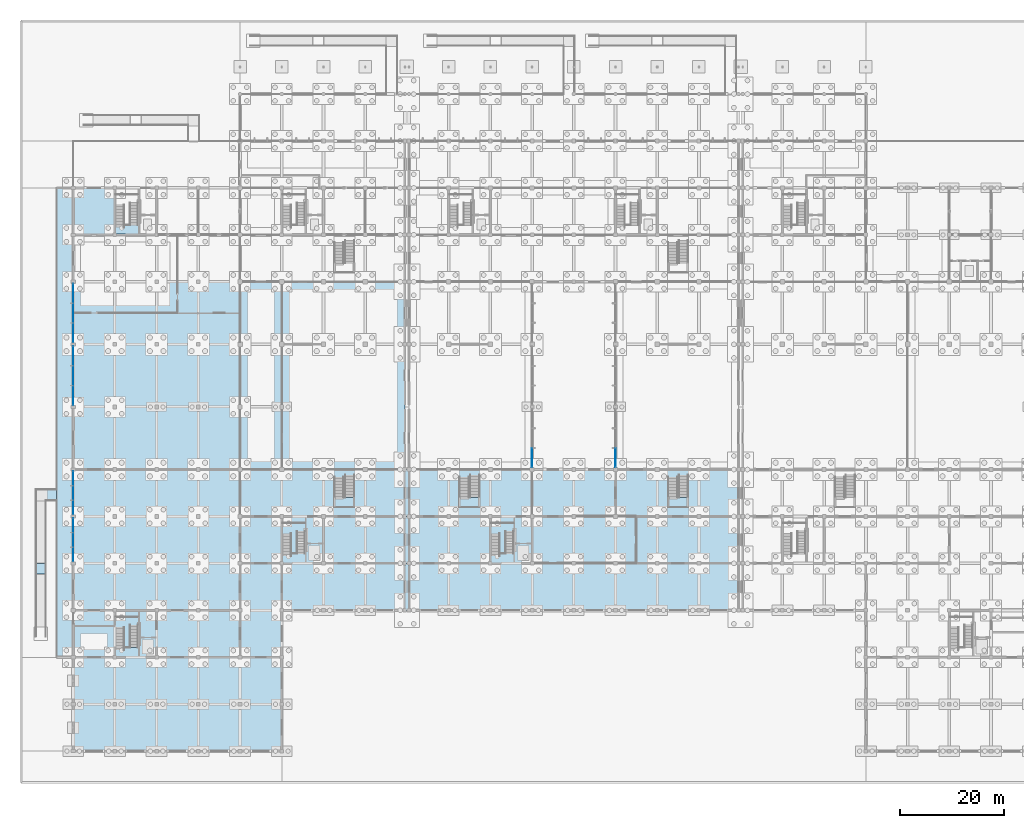
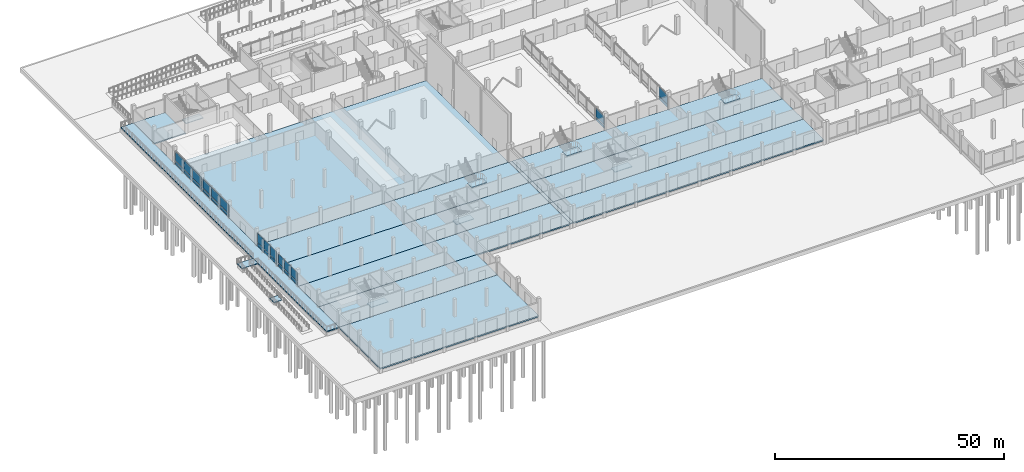
# One storey, part 35 of 72: 28 plates, 23 slabs, 14 elements without a shape of their own.
"""IFC4 building model written with IfcOpenShell, lengths in metres."""

from ifc_helpers import new_model, si_unit, direction, frame, origin, origin_2d, place, context, subcontext, project, spatial, polyline, rectangle, outline, extrude, material, layer, layer_set, type_object, element, aggregate, save


model = new_model("IFC4")

# Units and contexts
model_context = context("Model", 3, precision=1e-05, world=origin(), true_north=direction((0.0, 1.0)))
body_context = subcontext(model_context, "Body", "Model", "MODEL_VIEW")
ifc_project = project(units=[si_unit("LENGTHUNIT", "METRE"), si_unit("AREAUNIT", "SQUARE_METRE"), si_unit("VOLUMEUNIT", "CUBIC_METRE"), si_unit("PLANEANGLEUNIT", "RADIAN"), si_unit("MASSUNIT", "GRAM", prefix="KILO"), si_unit("THERMODYNAMICTEMPERATUREUNIT", "KELVIN"), si_unit("POWERUNIT", "WATT")], contexts=[model_context])

# Site, building, storey
site_placement = place(None, origin())
site = spatial("IfcSite", under=ifc_project, at=site_placement, CompositionType="ELEMENT")
building_placement = place(site_placement, origin())
building = spatial("IfcBuilding", under=site, at=building_placement, Name="Kronsvod Quay Wholesale Market", CompositionType="ELEMENT")
storey_placement = place(building_placement, origin())
storey = spatial("IfcBuildingStorey", under=building, at=storey_placement, Name="L00", CompositionType="ELEMENT", Elevation=0.0)

# Curtain wall, plates
ifc_material_1 = material(Name="Thermally broken aluminium and triple low-E glazing", Category="aluminium")
curtain_wall_type_1 = type_object("IfcCurtainWallType", Name="CW_Wing90x33", PredefinedType="NOTDEFINED", material=ifc_material_1)
curtain_wall_1_placement = place(storey_placement, origin())
curtain_wall_1 = element("IfcCurtainWall", 1, at=curtain_wall_1_placement, inside=storey, type_object=curtain_wall_type_1, Name="CWGY-L00-0-360", PredefinedType="NOTDEFINED")
ifc_material_2 = material(Name="Insulated aluminium spandrel panel", Category="aluminium")
ifc_layer_1 = layer(ifc_material_2, 0.048095703125)
ifc_layer_set_1 = layer_set([ifc_layer_1], Name="Insulated aluminium spandrel panel")
plate_type_1 = type_object("IfcPlateType", Name="CWPanel_SP2684x775", PredefinedType="CURTAIN_PANEL", material=ifc_layer_set_1)
plate_1_placement = place(storey_placement, frame((0.0, 43.27783203125, 0.150146484375), z_axis=(0.0, 0.0, 1.0), x_axis=(0.0, -1.0, 0.0)))
plate_1 = element("IfcPlate", 2, at=plate_1_placement, type_object=plate_type_1, Name="CWGY-L00-0-360-PS1", PredefinedType="CURTAIN_PANEL", context=body_context, shape_type="SweptSolid", body=[
    extrude(rectangle(XDim=2.68408203125, YDim=0.048095703125, at=origin_2d()), origin(), (0.0, 0.0, 1.0), 0.77490234375),
])
plate_2_placement = place(storey_placement, frame((0.0, 37.72216796875, 0.150146484375), z_axis=(0.0, 0.0, 1.0), x_axis=(0.0, -1.0, 0.0)))
plate_2 = element("IfcPlate", 3, at=plate_2_placement, type_object=plate_type_1, Name="CWGY-L00-0-360-PS3", PredefinedType="CURTAIN_PANEL", context=body_context, shape_type="SweptSolid", body=[
    extrude(rectangle(XDim=2.68408203125, YDim=0.048095703125, at=origin_2d()), origin(), (0.0, 0.0, 1.0), 0.77490234375),
])

curtain_wall_2_placement = place(storey_placement, origin())
curtain_wall_2 = element("IfcCurtainWall", 4, at=curtain_wall_2_placement, inside=storey, type_object=curtain_wall_type_1, Name="CWGY-L00-0-450", PredefinedType="NOTDEFINED")
ifc_material_3 = material(Name="Insulated aluminium spandrel panel", Category="aluminium")
ifc_layer_2 = layer(ifc_material_3, 0.048095703125)
ifc_layer_set_2 = layer_set([ifc_layer_2], Name="Insulated aluminium spandrel panel")
plate_type_2 = type_object("IfcPlateType", Name="CWPanel_SP2687x775", PredefinedType="CURTAIN_PANEL", material=ifc_layer_set_2)
plate_3_placement = place(storey_placement, frame((0.0, 52.2861328125, 0.150146484375), z_axis=(0.0, 0.0, 1.0), x_axis=(0.0, -1.0, 0.0)))
plate_3 = element("IfcPlate", 5, at=plate_3_placement, type_object=plate_type_2, Name="CWGY-L00-0-450-PS1", PredefinedType="CURTAIN_PANEL", context=body_context, shape_type="SweptSolid", body=[
    extrude(rectangle(XDim=2.68701171875, YDim=0.048095703125, at=origin_2d()), origin(), (0.0, 0.0, 1.0), 0.77490234375),
])
ifc_material_4 = material(Name="Insulated aluminium spandrel panel", Category="aluminium")
ifc_layer_3 = layer(ifc_material_4, 0.048095703125)
ifc_layer_set_3 = layer_set([ifc_layer_3], Name="Insulated aluminium spandrel panel")
plate_type_3 = type_object("IfcPlateType", Name="CWPanel_SP2688x775", PredefinedType="CURTAIN_PANEL", material=ifc_layer_set_3)
plate_4_placement = place(storey_placement, frame((0.0, 46.7236328125, 0.150146484375), z_axis=(0.0, 0.0, 1.0), x_axis=(0.0, -1.0, 0.0)))
plate_4 = element("IfcPlate", 6, at=plate_4_placement, type_object=plate_type_3, Name="CWGY-L00-0-450-PS3", PredefinedType="CURTAIN_PANEL", context=body_context, shape_type="SweptSolid", body=[
    extrude(rectangle(XDim=2.68798828125, YDim=0.048095703125, at=origin_2d()), origin(), (0.0, 0.0, 1.0), 0.77490234375),
])

# Plate
ifc_material_5 = material(Name="Insulated aluminium spandrel panel", Category="aluminium")
ifc_layer_4 = layer(ifc_material_5, 0.048095703125)
ifc_layer_set_4 = layer_set([ifc_layer_4], Name="Insulated aluminium spandrel panel")
plate_type_4 = type_object("IfcPlateType", Name="CWPanel_SP2722x775", PredefinedType="CURTAIN_PANEL", material=ifc_layer_set_4)
plate_5_placement = place(storey_placement, frame((0.0, 40.5, 0.150146484375), z_axis=(0.0, 0.0, 1.0), x_axis=(0.0, -1.0, 0.0)))
plate_5 = element("IfcPlate", 7, at=plate_5_placement, type_object=plate_type_4, Name="CWGY-L00-0-360-PS2", PredefinedType="CURTAIN_PANEL", context=body_context, shape_type="SweptSolid", body=[
    extrude(rectangle(XDim=2.721923828125, YDim=0.048095703125, at=origin_2d()), origin(), (0.0, 0.0, 1.0), 0.77490234375),
])

ifc_material_6 = material(Name="Insulated aluminium spandrel panel", Category="aluminium")
ifc_layer_5 = layer(ifc_material_6, 0.048095703125)
ifc_layer_set_5 = layer_set([ifc_layer_5], Name="Insulated aluminium spandrel panel")
plate_type_5 = type_object("IfcPlateType", Name="CWPanel_SP2725x775", PredefinedType="CURTAIN_PANEL", material=ifc_layer_set_5)
plate_6_placement = place(storey_placement, frame((0.0, 49.5048828125, 0.150146484375), z_axis=(0.0, 0.0, 1.0), x_axis=(0.0, -1.0, 0.0)))
plate_6 = element("IfcPlate", 8, at=plate_6_placement, type_object=plate_type_5, Name="CWGY-L00-0-450-PS2", PredefinedType="CURTAIN_PANEL", context=body_context, shape_type="SweptSolid", body=[
    extrude(rectangle(XDim=2.72509765625, YDim=0.048095703125, at=origin_2d()), origin(), (0.0, 0.0, 1.0), 0.77490234375),
])

# Curtain wall, plate
ifc_material_7 = material(Name="Thermally broken aluminium and triple low-E glazing", Category="aluminium")
curtain_wall_type_2 = type_object("IfcCurtainWallType", Name="CW_Court120x35", PredefinedType="NOTDEFINED", material=ifc_material_7)
curtain_wall_3_placement = place(storey_placement, origin())
curtain_wall_3 = element("IfcCurtainWall", 9, at=curtain_wall_3_placement, inside=storey, type_object=curtain_wall_type_2, Name="CWGY-L00-880-540", PredefinedType="NOTDEFINED")
ifc_material_8 = material(Name="Insulated aluminium spandrel panel", Category="aluminium")
ifc_layer_6 = layer(ifc_material_8, 0.048095703125)
ifc_layer_set_6 = layer_set([ifc_layer_6], Name="Insulated aluminium spandrel panel")
plate_type_6 = type_object("IfcPlateType", Name="CWPanel_SP3641x775", PredefinedType="CURTAIN_PANEL", material=ifc_layer_set_6)
plate_7_placement = place(storey_placement, frame((88.0, 56.29052734375, 0.150146484375), z_axis=(0.0, 0.0, 1.0), x_axis=(0.0, 1.0, 0.0)))
plate_7 = element("IfcPlate", 10, at=plate_7_placement, type_object=plate_type_6, Name="CWGY-L00-880-540-PS1", PredefinedType="CURTAIN_PANEL", context=body_context, shape_type="SweptSolid", body=[
    extrude(rectangle(XDim=3.64111328125, YDim=0.048095703125, at=origin_2d()), origin(), (0.0, 0.0, 1.0), 0.77490234375),
])

curtain_wall_4_placement = place(storey_placement, origin())
curtain_wall_4 = element("IfcCurtainWall", 11, at=curtain_wall_4_placement, inside=storey, type_object=curtain_wall_type_2, Name="CWGY-L00-1040-540", PredefinedType="NOTDEFINED")
plate_8_placement = place(storey_placement, frame((104.0, 56.29052734375, 0.150146484375), z_axis=(0.0, 0.0, 1.0), x_axis=(0.0, -1.0, 0.0)))
plate_8 = element("IfcPlate", 12, at=plate_8_placement, type_object=plate_type_6, Name="CWGY-L00-1040-540-PS3", PredefinedType="CURTAIN_PANEL", context=body_context, shape_type="SweptSolid", body=[
    extrude(rectangle(XDim=3.64111328125, YDim=0.048095703125, at=origin_2d()), origin(), (0.0, 0.0, 1.0), 0.77490234375),
])

# Curtain wall, plates
ifc_material_9 = material(Name="Thermally broken aluminium and triple low-E glazing", Category="aluminium")
curtain_wall_type_3 = type_object("IfcCurtainWallType", Name="CW_WestLab90x37", PredefinedType="NOTDEFINED", material=ifc_material_9)
curtain_wall_5_placement = place(storey_placement, origin())
curtain_wall_5 = element("IfcCurtainWall", 13, at=curtain_wall_5_placement, inside=storey, type_object=curtain_wall_type_3, Name="CWGY-L00-0-660", PredefinedType="NOTDEFINED")
ifc_material_10 = material(Name="Insulated aluminium spandrel panel", Category="aluminium")
ifc_layer_7 = layer(ifc_material_10, 0.048095703125)
ifc_layer_set_7 = layer_set([ifc_layer_7], Name="Insulated aluminium spandrel panel")
plate_type_7 = type_object("IfcPlateType", Name="CWPanel_SP3691x775", PredefinedType="CURTAIN_PANEL", material=ifc_layer_set_7)
plate_9_placement = place(storey_placement, frame((0.0, 75.78466796875, 0.150146484375), z_axis=(0.0, 0.0, 1.0), x_axis=(0.0, -1.0, 0.0)))
plate_9 = element("IfcPlate", 14, at=plate_9_placement, type_object=plate_type_7, Name="CWGY-L00-0-660-PS1", PredefinedType="CURTAIN_PANEL", context=body_context, shape_type="SweptSolid", body=[
    extrude(rectangle(XDim=3.69091796875, YDim=0.048095703125, at=origin_2d()), origin(), (0.0, 0.0, 1.0), 0.77490234375),
])
plate_10_placement = place(storey_placement, frame((0.0, 68.21533203125, 0.150146484375), z_axis=(0.0, 0.0, 1.0), x_axis=(0.0, -1.0, 0.0)))
plate_10 = element("IfcPlate", 15, at=plate_10_placement, type_object=plate_type_7, Name="CWGY-L00-0-660-PS3", PredefinedType="CURTAIN_PANEL", context=body_context, shape_type="SweptSolid", body=[
    extrude(rectangle(XDim=3.69091796875, YDim=0.048095703125, at=origin_2d()), origin(), (0.0, 0.0, 1.0), 0.77490234375),
])

curtain_wall_6_placement = place(storey_placement, origin())
curtain_wall_6 = element("IfcCurtainWall", 16, at=curtain_wall_6_placement, inside=storey, type_object=curtain_wall_type_3, Name="CWGY-L00-0-780", PredefinedType="NOTDEFINED")
plate_11_placement = place(storey_placement, frame((0.0, 87.78466796875, 0.150146484375), z_axis=(0.0, 0.0, 1.0), x_axis=(0.0, -1.0, 0.0)))
plate_11 = element("IfcPlate", 17, at=plate_11_placement, type_object=plate_type_7, Name="CWGY-L00-0-780-PS1", PredefinedType="CURTAIN_PANEL", context=body_context, shape_type="SweptSolid", body=[
    extrude(rectangle(XDim=3.69091796875, YDim=0.048095703125, at=origin_2d()), origin(), (0.0, 0.0, 1.0), 0.77490234375),
])
plate_12_placement = place(storey_placement, frame((0.0, 80.21533203125, 0.150146484375), z_axis=(0.0, 0.0, 1.0), x_axis=(0.0, -1.0, 0.0)))
plate_12 = element("IfcPlate", 18, at=plate_12_placement, type_object=plate_type_7, Name="CWGY-L00-0-780-PS3", PredefinedType="CURTAIN_PANEL", context=body_context, shape_type="SweptSolid", body=[
    extrude(rectangle(XDim=3.69091796875, YDim=0.048095703125, at=origin_2d()), origin(), (0.0, 0.0, 1.0), 0.77490234375),
])

# Plate
ifc_material_11 = material(Name="Insulated aluminium spandrel panel", Category="aluminium")
ifc_layer_8 = layer(ifc_material_11, 0.048095703125)
ifc_layer_set_8 = layer_set([ifc_layer_8], Name="Insulated aluminium spandrel panel")
plate_type_8 = type_object("IfcPlateType", Name="CWPanel_SP3728x775", PredefinedType="CURTAIN_PANEL", material=ifc_layer_set_8)
plate_13_placement = place(storey_placement, frame((0.0, 72.0, 0.150146484375), z_axis=(0.0, 0.0, 1.0), x_axis=(0.0, -1.0, 0.0)))
plate_13 = element("IfcPlate", 19, at=plate_13_placement, type_object=plate_type_8, Name="CWGY-L00-0-660-PS2", PredefinedType="CURTAIN_PANEL", context=body_context, shape_type="SweptSolid", body=[
    extrude(rectangle(XDim=3.72802734375, YDim=0.048095703125, at=origin_2d()), origin(), (0.0, 0.0, 1.0), 0.77490234375),
])

plate_14_placement = place(storey_placement, frame((0.0, 84.0, 0.150146484375), z_axis=(0.0, 0.0, 1.0), x_axis=(0.0, -1.0, 0.0)))
plate_14 = element("IfcPlate", 20, at=plate_14_placement, type_object=plate_type_8, Name="CWGY-L00-0-780-PS2", PredefinedType="CURTAIN_PANEL", context=body_context, shape_type="SweptSolid", body=[
    extrude(rectangle(XDim=3.72802734375, YDim=0.048095703125, at=origin_2d()), origin(), (0.0, 0.0, 1.0), 0.77490234375),
])

ifc_material_12 = material(Name="Triple low-E insulated glazing", Category="glass")
ifc_layer_9 = layer(ifc_material_12, 0.0439453125)
ifc_layer_set_9 = layer_set([ifc_layer_9], Name="Triple low-E insulated glazing")
plate_type_9 = type_object("IfcPlateType", Name="CWPanel_VS2684x2425", PredefinedType="CURTAIN_PANEL", material=ifc_layer_set_9)
plate_15_placement = place(storey_placement, frame((0.0, 43.27783203125, 1.0751953125), z_axis=(0.0, 0.0, 1.0), x_axis=(0.0, -1.0, 0.0)))
plate_15 = element("IfcPlate", 21, at=plate_15_placement, type_object=plate_type_9, Name="CWGY-L00-0-360-PV1", PredefinedType="CURTAIN_PANEL", context=body_context, shape_type="SweptSolid", body=[
    extrude(rectangle(XDim=2.68408203125, YDim=0.0439453125, at=origin_2d()), origin(), (0.0, 0.0, 1.0), 2.425048828125),
])

plate_16_placement = place(storey_placement, frame((0.0, 37.72216796875, 1.0751953125), z_axis=(0.0, 0.0, 1.0), x_axis=(0.0, -1.0, 0.0)))
plate_16 = element("IfcPlate", 22, at=plate_16_placement, type_object=plate_type_9, Name="CWGY-L00-0-360-PV3", PredefinedType="CURTAIN_PANEL", context=body_context, shape_type="SweptSolid", body=[
    extrude(rectangle(XDim=2.68408203125, YDim=0.0439453125, at=origin_2d()), origin(), (0.0, 0.0, 1.0), 2.425048828125),
])

ifc_material_13 = material(Name="Triple low-E insulated glazing", Category="glass")
ifc_layer_10 = layer(ifc_material_13, 0.0439453125)
ifc_layer_set_10 = layer_set([ifc_layer_10], Name="Triple low-E insulated glazing")
plate_type_10 = type_object("IfcPlateType", Name="CWPanel_VS2687x2425", PredefinedType="CURTAIN_PANEL", material=ifc_layer_set_10)
plate_17_placement = place(storey_placement, frame((0.0, 52.2861328125, 1.0751953125), z_axis=(0.0, 0.0, 1.0), x_axis=(0.0, -1.0, 0.0)))
plate_17 = element("IfcPlate", 23, at=plate_17_placement, type_object=plate_type_10, Name="CWGY-L00-0-450-PV1", PredefinedType="CURTAIN_PANEL", context=body_context, shape_type="SweptSolid", body=[
    extrude(rectangle(XDim=2.68701171875, YDim=0.0439453125, at=origin_2d()), origin(), (0.0, 0.0, 1.0), 2.425048828125),
])

ifc_material_14 = material(Name="Triple low-E insulated glazing", Category="glass")
ifc_layer_11 = layer(ifc_material_14, 0.0439453125)
ifc_layer_set_11 = layer_set([ifc_layer_11], Name="Triple low-E insulated glazing")
plate_type_11 = type_object("IfcPlateType", Name="CWPanel_VS2688x2425", PredefinedType="CURTAIN_PANEL", material=ifc_layer_set_11)
plate_18_placement = place(storey_placement, frame((0.0, 46.7236328125, 1.0751953125), z_axis=(0.0, 0.0, 1.0), x_axis=(0.0, -1.0, 0.0)))
plate_18 = element("IfcPlate", 24, at=plate_18_placement, type_object=plate_type_11, Name="CWGY-L00-0-450-PV3", PredefinedType="CURTAIN_PANEL", context=body_context, shape_type="SweptSolid", body=[
    extrude(rectangle(XDim=2.68798828125, YDim=0.0439453125, at=origin_2d()), origin(), (0.0, 0.0, 1.0), 2.425048828125),
])

ifc_material_15 = material(Name="Triple low-E insulated glazing", Category="glass")
ifc_layer_12 = layer(ifc_material_15, 0.0439453125)
ifc_layer_set_12 = layer_set([ifc_layer_12], Name="Triple low-E insulated glazing")
plate_type_12 = type_object("IfcPlateType", Name="CWPanel_VS2722x2425", PredefinedType="CURTAIN_PANEL", material=ifc_layer_set_12)
plate_19_placement = place(storey_placement, frame((0.0, 40.5, 1.0751953125), z_axis=(0.0, 0.0, 1.0), x_axis=(0.0, -1.0, 0.0)))
plate_19 = element("IfcPlate", 25, at=plate_19_placement, type_object=plate_type_12, Name="CWGY-L00-0-360-PV2", PredefinedType="CURTAIN_PANEL", context=body_context, shape_type="SweptSolid", body=[
    extrude(rectangle(XDim=2.721923828125, YDim=0.0439453125, at=origin_2d()), origin(), (0.0, 0.0, 1.0), 2.425048828125),
])

aggregate(curtain_wall_1, [plate_1, plate_15, plate_5, plate_19, plate_2, plate_16])

ifc_material_16 = material(Name="Triple low-E insulated glazing", Category="glass")
ifc_layer_13 = layer(ifc_material_16, 0.0439453125)
ifc_layer_set_13 = layer_set([ifc_layer_13], Name="Triple low-E insulated glazing")
plate_type_13 = type_object("IfcPlateType", Name="CWPanel_VS2725x2425", PredefinedType="CURTAIN_PANEL", material=ifc_layer_set_13)
plate_20_placement = place(storey_placement, frame((0.0, 49.5048828125, 1.0751953125), z_axis=(0.0, 0.0, 1.0), x_axis=(0.0, -1.0, 0.0)))
plate_20 = element("IfcPlate", 26, at=plate_20_placement, type_object=plate_type_13, Name="CWGY-L00-0-450-PV2", PredefinedType="CURTAIN_PANEL", context=body_context, shape_type="SweptSolid", body=[
    extrude(rectangle(XDim=2.72509765625, YDim=0.0439453125, at=origin_2d()), origin(), (0.0, 0.0, 1.0), 2.425048828125),
])

aggregate(curtain_wall_2, [plate_3, plate_17, plate_6, plate_20, plate_4, plate_18])

ifc_material_17 = material(Name="Triple low-E insulated glazing", Category="glass")
ifc_layer_14 = layer(ifc_material_17, 0.0439453125)
ifc_layer_set_14 = layer_set([ifc_layer_14], Name="Triple low-E insulated glazing")
plate_type_14 = type_object("IfcPlateType", Name="CWPanel_VS3641x2425", PredefinedType="CURTAIN_PANEL", material=ifc_layer_set_14)
plate_21_placement = place(storey_placement, frame((88.0, 56.29052734375, 1.0751953125), z_axis=(0.0, 0.0, 1.0), x_axis=(0.0, 1.0, 0.0)))
plate_21 = element("IfcPlate", 27, at=plate_21_placement, type_object=plate_type_14, Name="CWGY-L00-880-540-PV1", PredefinedType="CURTAIN_PANEL", context=body_context, shape_type="SweptSolid", body=[
    extrude(rectangle(XDim=3.64111328125, YDim=0.0439453125, at=origin_2d()), origin(), (0.0, 0.0, 1.0), 2.425048828125),
])

aggregate(curtain_wall_3, [plate_7, plate_21])

plate_22_placement = place(storey_placement, frame((104.0, 56.29052734375, 1.0751953125), z_axis=(0.0, 0.0, 1.0), x_axis=(0.0, -1.0, 0.0)))
plate_22 = element("IfcPlate", 28, at=plate_22_placement, type_object=plate_type_14, Name="CWGY-L00-1040-540-PV3", PredefinedType="CURTAIN_PANEL", context=body_context, shape_type="SweptSolid", body=[
    extrude(rectangle(XDim=3.64111328125, YDim=0.0439453125, at=origin_2d()), origin(), (0.0, 0.0, 1.0), 2.425048828125),
])

aggregate(curtain_wall_4, [plate_8, plate_22])

ifc_material_18 = material(Name="Triple low-E insulated glazing", Category="glass")
ifc_layer_15 = layer(ifc_material_18, 0.0439453125)
ifc_layer_set_15 = layer_set([ifc_layer_15], Name="Triple low-E insulated glazing")
plate_type_15 = type_object("IfcPlateType", Name="CWPanel_VS3691x2425", PredefinedType="CURTAIN_PANEL", material=ifc_layer_set_15)
plate_23_placement = place(storey_placement, frame((0.0, 75.78466796875, 1.0751953125), z_axis=(0.0, 0.0, 1.0), x_axis=(0.0, -1.0, 0.0)))
plate_23 = element("IfcPlate", 29, at=plate_23_placement, type_object=plate_type_15, Name="CWGY-L00-0-660-PV1", PredefinedType="CURTAIN_PANEL", context=body_context, shape_type="SweptSolid", body=[
    extrude(rectangle(XDim=3.69091796875, YDim=0.0439453125, at=origin_2d()), origin(), (0.0, 0.0, 1.0), 2.425048828125),
])

plate_24_placement = place(storey_placement, frame((0.0, 68.21533203125, 1.0751953125), z_axis=(0.0, 0.0, 1.0), x_axis=(0.0, -1.0, 0.0)))
plate_24 = element("IfcPlate", 30, at=plate_24_placement, type_object=plate_type_15, Name="CWGY-L00-0-660-PV3", PredefinedType="CURTAIN_PANEL", context=body_context, shape_type="SweptSolid", body=[
    extrude(rectangle(XDim=3.69091796875, YDim=0.0439453125, at=origin_2d()), origin(), (0.0, 0.0, 1.0), 2.425048828125),
])

plate_25_placement = place(storey_placement, frame((0.0, 87.78466796875, 1.0751953125), z_axis=(0.0, 0.0, 1.0), x_axis=(0.0, -1.0, 0.0)))
plate_25 = element("IfcPlate", 31, at=plate_25_placement, type_object=plate_type_15, Name="CWGY-L00-0-780-PV1", PredefinedType="CURTAIN_PANEL", context=body_context, shape_type="SweptSolid", body=[
    extrude(rectangle(XDim=3.69091796875, YDim=0.0439453125, at=origin_2d()), origin(), (0.0, 0.0, 1.0), 2.425048828125),
])

plate_26_placement = place(storey_placement, frame((0.0, 80.21533203125, 1.0751953125), z_axis=(0.0, 0.0, 1.0), x_axis=(0.0, -1.0, 0.0)))
plate_26 = element("IfcPlate", 32, at=plate_26_placement, type_object=plate_type_15, Name="CWGY-L00-0-780-PV3", PredefinedType="CURTAIN_PANEL", context=body_context, shape_type="SweptSolid", body=[
    extrude(rectangle(XDim=3.69091796875, YDim=0.0439453125, at=origin_2d()), origin(), (0.0, 0.0, 1.0), 2.425048828125),
])

ifc_material_19 = material(Name="Triple low-E insulated glazing", Category="glass")
ifc_layer_16 = layer(ifc_material_19, 0.0439453125)
ifc_layer_set_16 = layer_set([ifc_layer_16], Name="Triple low-E insulated glazing")
plate_type_16 = type_object("IfcPlateType", Name="CWPanel_VS3728x2425", PredefinedType="CURTAIN_PANEL", material=ifc_layer_set_16)
plate_27_placement = place(storey_placement, frame((0.0, 72.0, 1.0751953125), z_axis=(0.0, 0.0, 1.0), x_axis=(0.0, -1.0, 0.0)))
plate_27 = element("IfcPlate", 33, at=plate_27_placement, type_object=plate_type_16, Name="CWGY-L00-0-660-PV2", PredefinedType="CURTAIN_PANEL", context=body_context, shape_type="SweptSolid", body=[
    extrude(rectangle(XDim=3.72802734375, YDim=0.0439453125, at=origin_2d()), origin(), (0.0, 0.0, 1.0), 2.425048828125),
])

aggregate(curtain_wall_5, [plate_9, plate_23, plate_13, plate_27, plate_10, plate_24])

plate_28_placement = place(storey_placement, frame((0.0, 84.0, 1.0751953125), z_axis=(0.0, 0.0, 1.0), x_axis=(0.0, -1.0, 0.0)))
plate_28 = element("IfcPlate", 34, at=plate_28_placement, type_object=plate_type_16, Name="CWGY-L00-0-780-PV2", PredefinedType="CURTAIN_PANEL", context=body_context, shape_type="SweptSolid", body=[
    extrude(rectangle(XDim=3.72802734375, YDim=0.0439453125, at=origin_2d()), origin(), (0.0, 0.0, 1.0), 2.425048828125),
])

aggregate(curtain_wall_6, [plate_11, plate_25, plate_14, plate_28, plate_12, plate_26])

# Slabs
ifc_material_20 = material(Name="Concrete C35/45", Category="concrete")
ifc_layer_17 = layer(ifc_material_20, 0.320068359375)
ifc_layer_set_17 = layer_set([ifc_layer_17], Name="Concrete C35/45")
slab_type_1 = type_object("IfcSlabType", Name="Slab_Base320", PredefinedType="BASESLAB", material=ifc_layer_set_17)
slab_1_placement = place(storey_placement, frame((0.0, 0.0, -0.320068359375)))
element("IfcSlab", 35, at=slab_1_placement, inside=storey, type_object=slab_type_1, Name="SLB-L00-005", PredefinedType="BASESLAB", context=body_context, shape_type="SweptSolid", body=[
    extrude(outline(polyline([(0.0, 45.0), (63.580078125, 45.0), (63.580078125, 54.0), (0.0, 54.0), (0.0, 45.0)])), origin(), (0.0, 0.0, 1.0), 0.320068359375),
])
slab_2_placement = place(storey_placement, frame((0.0, 0.0, -0.320068359375)))
element("IfcSlab", 36, at=slab_2_placement, inside=storey, type_object=slab_type_1, Name="SLB-L00-006", PredefinedType="BASESLAB", context=body_context, shape_type="SweptSolid", body=[
    extrude(outline(polyline([(0.0, 54.0), (63.580078125, 54.0), (63.580078125, 90.0), (0.0, 90.0), (0.0, 54.0)])), origin(), (0.0, 0.0, 1.0), 0.320068359375),
])
slab_3_placement = place(storey_placement, frame((0.0, 0.0, -0.320068359375)))
element("IfcSlab", 37, at=slab_3_placement, inside=storey, type_object=slab_type_1, Name="SLB-L00-008", PredefinedType="BASESLAB", context=body_context, shape_type="SweptSolid", body=[
    extrude(outline(polyline([(0.0, 99.0), (8.0, 99.0), (8.0, 108.0), (0.0, 108.0), (0.0, 99.0)])), origin(), (0.0, 0.0, 1.0), 0.320068359375),
])
slab_4_placement = place(storey_placement, frame((0.0, 0.0, -0.320068359375)))
element("IfcSlab", 38, at=slab_4_placement, inside=storey, type_object=slab_type_1, Name="SLB-L00-016", PredefinedType="BASESLAB", context=body_context, shape_type="SweptSolid", body=[
    extrude(outline(polyline([(64.419921875, 45.0), (127.580078125, 45.0), (127.580078125, 54.0), (64.419921875, 54.0), (64.419921875, 45.0)])), origin(), (0.0, 0.0, 1.0), 0.320068359375),
])
ifc_material_21 = material(Name="Concrete C35/45", Category="concrete")
ifc_layer_18 = layer(ifc_material_21, 0.3798828125)
ifc_layer_set_18 = layer_set([ifc_layer_18], Name="Concrete C35/45")
slab_type_2 = type_object("IfcSlabType", Name="Slab_BaseCold380", PredefinedType="BASESLAB", material=ifc_layer_set_18)
slab_5_placement = place(storey_placement, frame((0.0, 0.0, -0.3798828125)))
element("IfcSlab", 39, at=slab_5_placement, inside=storey, type_object=slab_type_2, Name="SLB-L00-004", PredefinedType="BASESLAB", context=body_context, shape_type="SweptSolid", body=[
    extrude(outline(polyline([(0.0, 36.0), (63.580078125, 36.0), (63.580078125, 45.0), (0.0, 45.0), (0.0, 36.0)])), origin(), (0.0, 0.0, 1.0), 0.3798828125),
])
slab_6_placement = place(storey_placement, frame((0.0, 0.0, -0.3798828125)))
element("IfcSlab", 40, at=slab_6_placement, inside=storey, type_object=slab_type_2, Name="SLB-L00-015", PredefinedType="BASESLAB", context=body_context, shape_type="SweptSolid", body=[
    extrude(outline(polyline([(64.419921875, 36.0), (127.580078125, 36.0), (127.580078125, 45.0), (64.419921875, 45.0), (64.419921875, 36.0)])), origin(), (0.0, 0.0, 1.0), 0.3798828125),
])
ifc_material_22 = material(Name="Concrete C35/45", Category="concrete")
ifc_layer_19 = layer(ifc_material_22, 0.280029296875)
ifc_layer_set_19 = layer_set([ifc_layer_19], Name="Concrete C35/45")
slab_type_3 = type_object("IfcSlabType", Name="Slab_BaseColonnade280", PredefinedType="BASESLAB", material=ifc_layer_set_19)
slab_7_placement = place(storey_placement, frame((0.0, 0.0, -0.280029296875)))
element("IfcSlab", 41, at=slab_7_placement, inside=storey, type_object=slab_type_3, Name="SLB-EXT-W", PredefinedType="BASESLAB", context=body_context, shape_type="SweptSolid", body=[
    extrude(outline(polyline([(-3.199951171875, 18.0), (0.0, 18.0), (0.0, 108.0), (-3.199951171875, 108.0), (-3.199951171875, 18.0)])), origin(), (0.0, 0.0, 1.0), 0.280029296875),
])
ifc_material_23 = material(Name="Concrete C35/45", Category="concrete")
ifc_layer_20 = layer(ifc_material_23, 0.35009765625)
ifc_layer_set_20 = layer_set([ifc_layer_20], Name="Concrete C35/45")
slab_type_4 = type_object("IfcSlabType", Name="Slab_BaseDock350", PredefinedType="BASESLAB", material=ifc_layer_set_20)
slab_8_placement = place(storey_placement, frame((0.0, 0.0, -0.35009765625)))
element("IfcSlab", 42, at=slab_8_placement, inside=storey, type_object=slab_type_4, Name="SLB-L00-001", PredefinedType="BASESLAB", context=body_context, shape_type="SweptSolid", body=[
    extrude(outline(polyline([(0.0, 0.0), (40.0, 0.0), (40.0, 18.0), (0.0, 18.0), (0.0, 0.0)])), origin(), (0.0, 0.0, 1.0), 0.35009765625),
])
slab_9_placement = place(storey_placement, frame((0.0, 0.0, -0.35009765625)))
element("IfcSlab", 43, at=slab_9_placement, inside=storey, type_object=slab_type_4, Name="SLB-L00-002", PredefinedType="BASESLAB", context=body_context, shape_type="SweptSolid", body=[
    extrude(outline(polyline([(0.0, 18.0), (40.0, 18.0), (40.0, 27.0), (0.0, 27.0), (0.0, 18.0)])), origin(), (0.0, 0.0, 1.0), 0.35009765625),
])
slab_10_placement = place(storey_placement, frame((0.0, 0.0, -0.35009765625)))
element("IfcSlab", 44, at=slab_10_placement, inside=storey, type_object=slab_type_4, Name="SLB-L00-003", PredefinedType="BASESLAB", context=body_context, shape_type="SweptSolid", body=[
    extrude(outline(polyline([(0.0, 27.0), (63.580078125, 27.0), (63.580078125, 36.0), (0.0, 36.0), (0.0, 27.0)])), origin(), (0.0, 0.0, 1.0), 0.35009765625),
])
slab_11_placement = place(storey_placement, frame((0.0, 0.0, -0.35009765625)))
element("IfcSlab", 45, at=slab_11_placement, inside=storey, type_object=slab_type_4, Name="SLB-L00-014", PredefinedType="BASESLAB", context=body_context, shape_type="SweptSolid", body=[
    extrude(outline(polyline([(64.419921875, 27.0), (127.580078125, 27.0), (127.580078125, 36.0), (64.419921875, 36.0), (64.419921875, 27.0)])), origin(), (0.0, 0.0, 1.0), 0.35009765625),
])
ifc_material_24 = material(Name="Concrete C35/45", Category="concrete")
ifc_layer_21 = layer(ifc_material_24, 0.2451171875)
ifc_layer_set_21 = layer_set([ifc_layer_21], Name="Concrete C35/45")
slab_type_5 = type_object("IfcSlabType", Name="Slab_JointBridge245", PredefinedType="FLOOR", material=ifc_layer_set_21)
slab_12_placement = place(storey_placement, frame((0.0, 0.0, -0.2451171875)))
element("IfcSlab", 46, at=slab_12_placement, inside=storey, type_object=slab_type_5, Name="SLB-MJ-L00-J1-27", PredefinedType="FLOOR", context=body_context, shape_type="SweptSolid", body=[
    extrude(outline(polyline([(63.580078125, 27.0), (64.419921875, 27.0), (64.419921875, 36.0), (63.580078125, 36.0), (63.580078125, 27.0)])), origin(), (0.0, 0.0, 1.0), 0.2451171875),
])
slab_13_placement = place(storey_placement, frame((0.0, 0.0, -0.2451171875)))
element("IfcSlab", 47, at=slab_13_placement, inside=storey, type_object=slab_type_5, Name="SLB-MJ-L00-J1-36", PredefinedType="FLOOR", context=body_context, shape_type="SweptSolid", body=[
    extrude(outline(polyline([(63.580078125, 36.0), (64.419921875, 36.0), (64.419921875, 45.0), (63.580078125, 45.0), (63.580078125, 36.0)])), origin(), (0.0, 0.0, 1.0), 0.2451171875),
])
slab_14_placement = place(storey_placement, frame((0.0, 0.0, -0.2451171875)))
element("IfcSlab", 48, at=slab_14_placement, inside=storey, type_object=slab_type_5, Name="SLB-MJ-L00-J1-45", PredefinedType="FLOOR", context=body_context, shape_type="SweptSolid", body=[
    extrude(outline(polyline([(63.580078125, 45.0), (64.419921875, 45.0), (64.419921875, 54.0), (63.580078125, 54.0), (63.580078125, 45.0)])), origin(), (0.0, 0.0, 1.0), 0.2451171875),
])

# Ramp, slabs
ifc_material_25 = material(Name="Concrete C35/45", Category="concrete")
ramp_type = type_object("IfcRampType", Name="Ramp_Accessible1to20", PredefinedType="STRAIGHT_RUN_RAMP", material=ifc_material_25)
ramp_placement = place(storey_placement, origin())
ramp = element("IfcRamp", 49, at=ramp_placement, inside=storey, type_object=ramp_type, Name="RMP-W01", PredefinedType="STRAIGHT_RUN_RAMP")
ifc_material_26 = material(Name="Concrete C35/45", Category="concrete")
ifc_layer_22 = layer(ifc_material_26, 0.219970703125)
ifc_layer_set_22 = layer_set([ifc_layer_22], Name="Concrete C35/45")
slab_type_6 = type_object("IfcSlabType", Name="Slab_RampLanding220", PredefinedType="LANDING", material=ifc_layer_set_22)
slab_15_placement = place(storey_placement, frame((0.0, 0.0, -0.820068359375)))
slab_15 = element("IfcSlab", 50, at=slab_15_placement, type_object=slab_type_6, Name="RMP-W01-LND", PredefinedType="LANDING", context=body_context, shape_type="SweptSolid", body=[
    extrude(outline(polyline([(-5.199951171875, 34.0), (-5.199951171875, 36.0), (-7.199951171875, 36.0), (-7.199951171875, 34.0), (-5.199951171875, 34.0)])), origin(), (0.0, 0.0, 1.0), 0.219970703125),
])
slab_16_placement = place(storey_placement, frame((0.0, 0.0, -0.219970703125)))
slab_16 = element("IfcSlab", 51, at=slab_16_placement, type_object=slab_type_6, Name="RMP-W01-TOP", PredefinedType="LANDING", context=body_context, shape_type="SweptSolid", body=[
    extrude(outline(polyline([(-7.199951171875, 48.0), (-3.199951171875, 48.0), (-3.199951171875, 50.199951171875), (-7.199951171875, 50.199951171875), (-7.199951171875, 48.0)])), origin(), (0.0, 0.0, 1.0), 0.219970703125),
])
aggregate(ramp, [slab_15, slab_16])

# Stair, slab
ifc_material_27 = material(Name="Concrete C35/45", Category="concrete")
stair_type_1 = type_object("IfcStairType", Name="Stair_CoreL00_32R", PredefinedType="HALF_TURN_STAIR", material=ifc_material_27)
stair_1_placement = place(storey_placement, origin())
stair_1 = element("IfcStair", 52, at=stair_1_placement, inside=storey, type_object=stair_type_1, Name="ST01-L00", PredefinedType="HALF_TURN_STAIR")
ifc_material_28 = material(Name="Concrete C35/45", Category="concrete")
ifc_layer_23 = layer(ifc_material_28, 0.199951171875)
ifc_layer_set_23 = layer_set([ifc_layer_23], Name="Concrete C35/45")
slab_type_7 = type_object("IfcSlabType", Name="Slab_StairLanding200", PredefinedType="LANDING", material=ifc_layer_set_23)
slab_17_placement = place(storey_placement, frame((0.0, 0.0, 2.199951171875)))
slab_17 = element("IfcSlab", 53, at=slab_17_placement, type_object=slab_type_7, Name="ST01-L00-LND", PredefinedType="LANDING", context=body_context, shape_type="SweptSolid", body=[
    extrude(outline(polyline([(8.1201171875, 18.1201171875), (12.5, 18.1201171875), (12.5, 19.909912109375), (8.1201171875, 19.909912109375), (8.1201171875, 18.1201171875)])), origin(), (0.0, 0.0, 1.0), 0.199951171875),
])
aggregate(stair_1, [slab_17])

stair_2_placement = place(storey_placement, origin())
stair_2 = element("IfcStair", 54, at=stair_2_placement, inside=storey, type_object=stair_type_1, Name="ST02-L00", PredefinedType="HALF_TURN_STAIR")
slab_18_placement = place(storey_placement, frame((0.0, 0.0, 2.199951171875)))
slab_18 = element("IfcSlab", 55, at=slab_18_placement, type_object=slab_type_7, Name="ST02-L00-LND", PredefinedType="LANDING", context=body_context, shape_type="SweptSolid", body=[
    extrude(outline(polyline([(8.1201171875, 99.1201171875), (12.5, 99.1201171875), (12.5, 100.909912109375), (8.1201171875, 100.909912109375), (8.1201171875, 99.1201171875)])), origin(), (0.0, 0.0, 1.0), 0.199951171875),
])
aggregate(stair_2, [slab_18])

stair_3_placement = place(storey_placement, origin())
stair_3 = element("IfcStair", 56, at=stair_3_placement, inside=storey, type_object=stair_type_1, Name="ST03-L00", PredefinedType="HALF_TURN_STAIR")
slab_19_placement = place(storey_placement, frame((0.0, 0.0, 2.199951171875)))
slab_19 = element("IfcSlab", 57, at=slab_19_placement, type_object=slab_type_7, Name="ST03-L00-LND", PredefinedType="LANDING", context=body_context, shape_type="SweptSolid", body=[
    extrude(outline(polyline([(40.1201171875, 36.1201171875), (44.5, 36.1201171875), (44.5, 37.909912109375), (40.1201171875, 37.909912109375), (40.1201171875, 36.1201171875)])), origin(), (0.0, 0.0, 1.0), 0.199951171875),
])
aggregate(stair_3, [slab_19])

stair_4_placement = place(storey_placement, origin())
stair_4 = element("IfcStair", 58, at=stair_4_placement, inside=storey, type_object=stair_type_1, Name="ST04-L00", PredefinedType="HALF_TURN_STAIR")
slab_20_placement = place(storey_placement, frame((0.0, 0.0, 2.199951171875)))
slab_20 = element("IfcSlab", 59, at=slab_20_placement, type_object=slab_type_7, Name="ST04-L00-LND", PredefinedType="LANDING", context=body_context, shape_type="SweptSolid", body=[
    extrude(outline(polyline([(80.1201171875, 36.1201171875), (84.5, 36.1201171875), (84.5, 37.909912109375), (80.1201171875, 37.909912109375), (80.1201171875, 36.1201171875)])), origin(), (0.0, 0.0, 1.0), 0.199951171875),
])
aggregate(stair_4, [slab_20])

ifc_material_29 = material(Name="Concrete C35/45", Category="concrete")
stair_type_2 = type_object("IfcStairType", Name="Stair_Concourse32R", PredefinedType="HALF_TURN_STAIR", material=ifc_material_29)
stair_5_placement = place(storey_placement, origin())
stair_5 = element("IfcStair", 60, at=stair_5_placement, inside=storey, type_object=stair_type_2, Name="ST-GAL-W1", PredefinedType="HALF_TURN_STAIR")
slab_21_placement = place(storey_placement, frame((0.0, 0.0, 2.199951171875)))
slab_21 = element("IfcSlab", 61, at=slab_21_placement, type_object=slab_type_7, Name="ST-GAL-W1-LND", PredefinedType="LANDING", context=body_context, shape_type="SweptSolid", body=[
    extrude(outline(polyline([(50.050048828125, 46.75), (53.949951171875, 46.75), (53.949951171875, 48.679931640625), (50.050048828125, 48.679931640625), (50.050048828125, 46.75)])), origin(), (0.0, 0.0, 1.0), 0.199951171875),
])
aggregate(stair_5, [slab_21])

stair_6_placement = place(storey_placement, origin())
stair_6 = element("IfcStair", 62, at=stair_6_placement, inside=storey, type_object=stair_type_2, Name="ST-GAL-W2", PredefinedType="HALF_TURN_STAIR")
slab_22_placement = place(storey_placement, frame((0.0, 0.0, 2.199951171875)))
slab_22 = element("IfcSlab", 63, at=slab_22_placement, type_object=slab_type_7, Name="ST-GAL-W2-LND", PredefinedType="LANDING", context=body_context, shape_type="SweptSolid", body=[
    extrude(outline(polyline([(74.050048828125, 46.75), (77.949951171875, 46.75), (77.949951171875, 48.679931640625), (74.050048828125, 48.679931640625), (74.050048828125, 46.75)])), origin(), (0.0, 0.0, 1.0), 0.199951171875),
])
aggregate(stair_6, [slab_22])

stair_7_placement = place(storey_placement, origin())
stair_7 = element("IfcStair", 64, at=stair_7_placement, inside=storey, type_object=stair_type_2, Name="ST-GAL-E1", PredefinedType="HALF_TURN_STAIR")
slab_23_placement = place(storey_placement, frame((0.0, 0.0, 2.199951171875)))
slab_23 = element("IfcSlab", 65, at=slab_23_placement, type_object=slab_type_7, Name="ST-GAL-E1-LND", PredefinedType="LANDING", context=body_context, shape_type="SweptSolid", body=[
    extrude(outline(polyline([(114.050048828125, 46.75), (117.949951171875, 46.75), (117.949951171875, 48.679931640625), (114.050048828125, 48.679931640625), (114.050048828125, 46.75)])), origin(), (0.0, 0.0, 1.0), 0.199951171875),
])
aggregate(stair_7, [slab_23])

save(model, "model.ifc")
